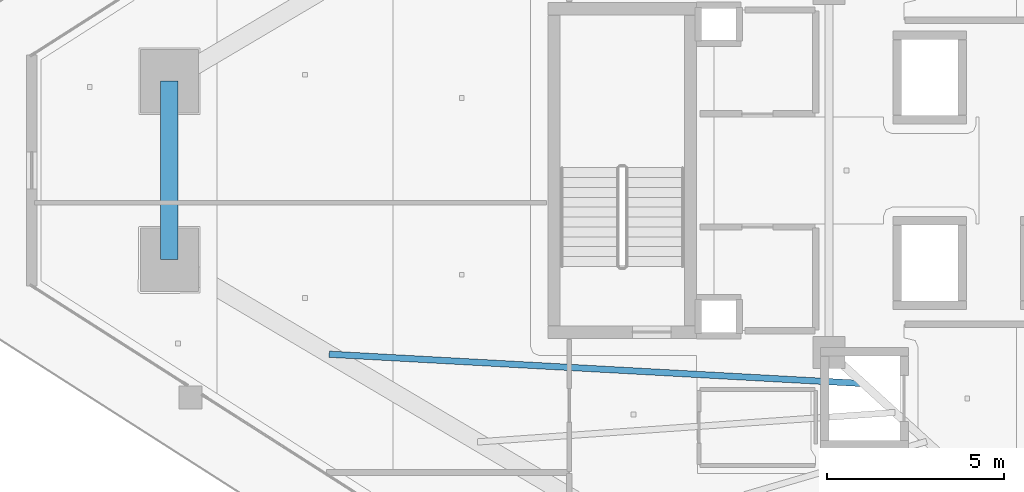
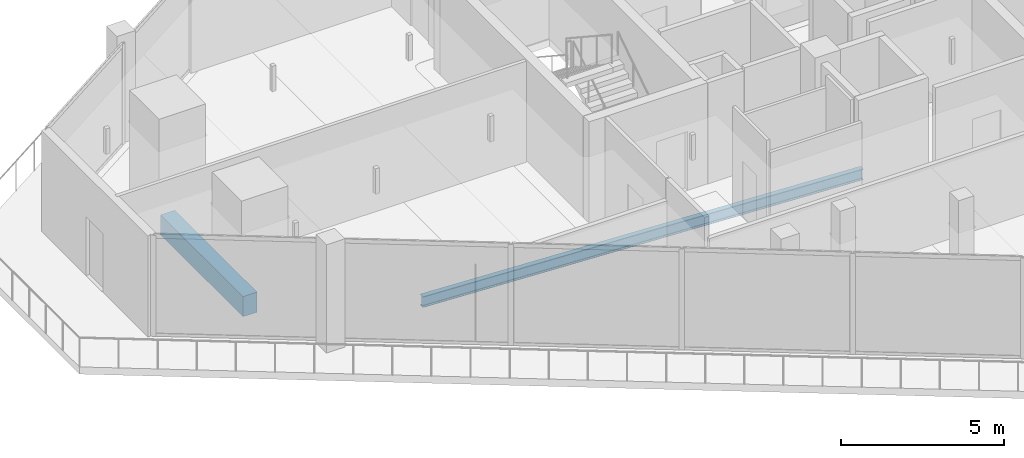
# One storey, part 7 of 33: 2 beams.
"""IFC4 building model written with IfcOpenShell, lengths in metres."""

from ifc_helpers import new_model, si_unit, direction, frame, origin, origin_2d, place, context, subcontext, project, spatial, rectangle, i_section, extrude, material, material_profile, profile_set, type_object, element, save


model = new_model("IFC4")

# Units and contexts
model_context = context("Model", 3, precision=1e-05, world=origin(), true_north=direction((0.0, 1.0)))
body_context = subcontext(model_context, "Body", "Model", "MODEL_VIEW")
ifc_project = project(units=[si_unit("LENGTHUNIT", "METRE"), si_unit("AREAUNIT", "SQUARE_METRE"), si_unit("VOLUMEUNIT", "CUBIC_METRE"), si_unit("PLANEANGLEUNIT", "RADIAN"), si_unit("MASSUNIT", "GRAM", prefix="KILO")], contexts=[model_context])

# Site, building, storey
site_placement = place(None, origin())
site = spatial("IfcSite", under=ifc_project, at=site_placement, CompositionType="ELEMENT")
building_placement = place(site_placement, origin())
building = spatial("IfcBuilding", under=site, at=building_placement, Name="Qorvath Tower", CompositionType="ELEMENT")
storey_placement = place(building_placement, frame((0.0, 0.0, 221.25)))
storey = spatial("IfcBuildingStorey", under=building, at=storey_placement, Name="L51", CompositionType="ELEMENT", Elevation=221.25)

# Beams
ifc_material_1 = material(Name="Steel ASTM A992 Grade 50", Category="steel")
ifc_material_profile_1 = material_profile(ifc_material_1, i_section(OverallWidth=0.177978515625, OverallDepth=0.406005859375, WebThickness=0.0078125, FlangeThickness=0.0126953125, FilletRadius=0.010986328125, at=origin_2d()), Name="W16x40")
ifc_profile_set_1 = profile_set([ifc_material_profile_1], Name="Steel ASTM A992 Grade 50")
beam_type_1 = type_object("IfcBeamType", Name="BM-FJ3", PredefinedType="JOIST", material=ifc_profile_set_1)
beam_1_placement = place(storey_placement, frame((-29.533935546875, -6.031982421875, -0.472900390625), z_axis=(-0.998494745044, 0.054847462293, 0.0), x_axis=(-0.054847462293, -0.998494745044, 0.0)))
element("IfcBeam", 1, at=beam_1_placement, inside=storey, type_object=beam_type_1, Name="Composite Floor Joist SW1 L51", PredefinedType="JOIST", context=body_context, shape_type="SweptSolid", body=[
    extrude(i_section(OverallWidth=0.177978515625, OverallDepth=0.406005859375, WebThickness=0.0078125, FlangeThickness=0.0126953125, FilletRadius=0.010986328125, at=origin_2d()), origin(), (0.0, 0.0, 1.0), 15.138671875),
])
ifc_material_2 = material(Name="Concrete C45/55", Category="concrete")
ifc_material_profile_2 = material_profile(ifc_material_2, rectangle(XDim=0.5, YDim=0.75, at=origin_2d()), Name="RCB 750x500")
ifc_profile_set_2 = profile_set([ifc_material_profile_2], Name="Concrete C45/55")
beam_type_2 = type_object("IfcBeamType", Name="BM-RCB3", PredefinedType="SPANDREL", material=ifc_profile_set_2)
beam_2_placement = place(storey_placement, frame((-49.171875, 2.52783203125, -0.64501953125), z_axis=(0.0, -1.0, 0.0), x_axis=(1.0, 0.0, 0.0)))
element("IfcBeam", 2, at=beam_2_placement, inside=storey, type_object=beam_type_2, Name="Perimeter Loggia Frame Beam MC1-MC2 L51", PredefinedType="SPANDREL", context=body_context, shape_type="SweptSolid", body=[
    extrude(rectangle(XDim=0.5, YDim=0.75, at=origin_2d()), origin(), (0.0, 0.0, 1.0), 5.0556640625),
])

save(model, "model.ifc")
